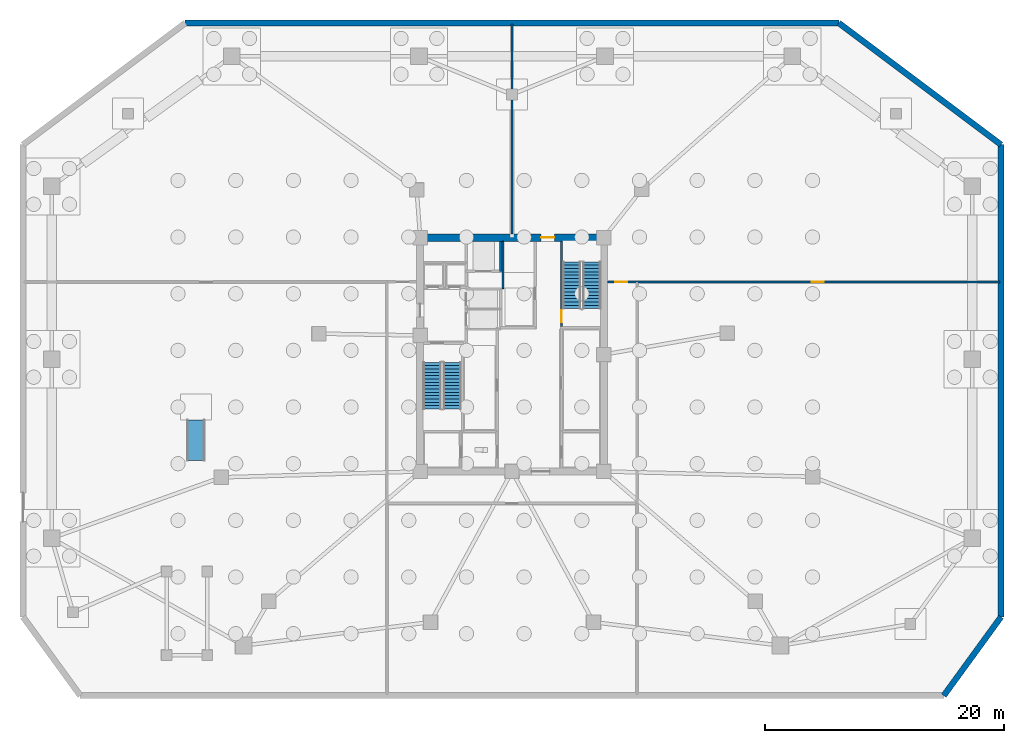
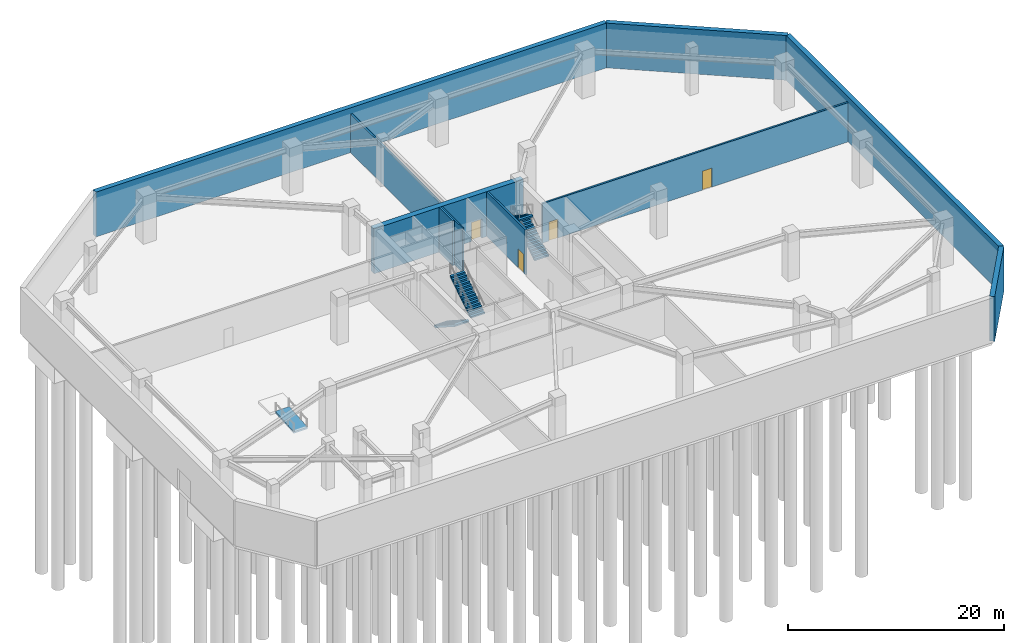
# One storey, part 5 of 12: 10 walls, 4 doors, 4 stair flights, 1 ramp flight, 4 openings, 3 elements without a shape of their own.
"""IFC4 building model written with IfcOpenShell, lengths in metres."""

from ifc_helpers import new_model, si_unit, direction, frame, frame_2d, origin, place, context, subcontext, project, spatial, polyline, rectangle, outline, extrude, material, layer, layer_set, type_object, element, fill, aggregate, save


model = new_model("IFC4")

# Units and contexts
model_context = context("Model", 3, precision=1e-05, world=origin(), true_north=direction((0.0, 1.0)))
body_context = subcontext(model_context, "Body", "Model", "MODEL_VIEW")
ifc_project = project(units=[si_unit("LENGTHUNIT", "METRE"), si_unit("AREAUNIT", "SQUARE_METRE"), si_unit("VOLUMEUNIT", "CUBIC_METRE"), si_unit("PLANEANGLEUNIT", "RADIAN"), si_unit("MASSUNIT", "GRAM", prefix="KILO")], contexts=[model_context])

# Site, building, storey
site_placement = place(None, origin())
site = spatial("IfcSite", under=ifc_project, at=site_placement, CompositionType="ELEMENT")
building_placement = place(site_placement, origin())
building = spatial("IfcBuilding", under=site, at=building_placement, Name="Savorim Split Tower", CompositionType="ELEMENT")
storey_placement = place(building_placement, frame((0.0, 0.0, -5.39990234375)))
storey = spatial("IfcBuildingStorey", under=building, at=storey_placement, Name="B01", CompositionType="ELEMENT", Elevation=-5.39990234375)

# Wall, opening, door
ifc_material_1 = material(Name="Concrete C60/75", Category="concrete")
ifc_layer_1 = layer(ifc_material_1, 0.60009765625)
ifc_layer_set_1 = layer_set([ifc_layer_1], Name="WAL-COR-SH600")
wall_type_1 = type_object("IfcWallType", Name="WAL-COR-SH600", PredefinedType="SHEAR", material=ifc_layer_set_1)
wall_1_placement = place(storey_placement, frame((8.0, 10.199951171875, 0.0), z_axis=(0.0, 0.0, 1.0), x_axis=(-1.0, 0.0, 0.0)))
wall_1 = element("IfcWall", 1, at=wall_1_placement, inside=storey, type_object=wall_type_1, Name="B01 Offset Core North Shear Wall", PredefinedType="SHEAR", context=body_context, shape_type="SweptSolid", body=[
    extrude(rectangle(XDim=16.0, YDim=0.60009765625, at=frame_2d((8.0, 0.0))), origin(), (0.0, 0.0, 1.0), 5.079833984375),
])
opening_1_placement = place(wall_1_placement, frame((4.449951171875, 0.0, 0.0)))
opening_1 = element("IfcOpeningElement", 2, at=opening_1_placement, cuts=wall_1, Name="Opening DI-03", PredefinedType="OPENING", context=body_context, shape_type="SweptSolid", body=[
    extrude(rectangle(XDim=1.10009765625, YDim=2.14990234375, at=frame_2d((0.550048828125, 1.074951171875))), frame((0.0, 0.31005859375, 0.0), z_axis=(0.0, -1.0, 0.0), x_axis=(1.0, 0.0, 0.0)), (0.0, 0.0, 1.0), 0.6201171875),
])
ifc_material_2 = material(Name="Timber Fire Door Leaf", Category="wood")
door_type_1 = type_object("IfcDoorType", Name="DOR-FIR-1100", OperationType="NOTDEFINED", PredefinedType="DOOR", material=ifc_material_2)
door_1_placement = place(opening_1_placement, origin())
door_1 = element("IfcDoor", 3, at=door_1_placement, inside=storey, type_object=door_type_1, Name="DOR-B01-COR-NLOB - B01 North Corridor Lobby Fire Door", OperationType="SINGLE_SWING_RIGHT", OverallHeight=2.14990234375, OverallWidth=1.10009765625, PredefinedType="DOOR", context=body_context, shape_type="SweptSolid", body=[
    extrude(rectangle(XDim=1.10009765625, YDim=2.14990234375, at=frame_2d((0.550048828125, 1.074951171875))), frame((0.0, 0.02490234375, 0.0), z_axis=(0.0, -1.0, 0.0), x_axis=(1.0, 0.0, 0.0)), (0.0, 0.0, 1.0), 0.050048828125),
])
fill(opening_1, door_1)

# Walls
ifc_material_3 = material(Name="Concrete C50/60", Category="concrete")
ifc_layer_2 = layer(ifc_material_3, 0.5)
ifc_layer_set_2 = layer_set([ifc_layer_2], Name="WAL-EXT-RET500")
wall_type_2 = type_object("IfcWallType", Name="WAL-EXT-RET500", PredefinedType="USERDEFINED", material=ifc_layer_set_2)
wall_2_placement = place(storey_placement, frame((41.0, -21.60009765625, 0.0), z_axis=(0.0, 0.0, 1.0), x_axis=(-0.58818414925, -0.808727028466, 0.0)))
element("IfcWall", 4, at=wall_2_placement, inside=storey, type_object=wall_type_2, Name="B01 Perimeter Basement Retaining Wall 2", ObjectType="RETAININGWALL", PredefinedType="USERDEFINED", context=body_context, shape_type="SweptSolid", body=[
    extrude(rectangle(XDim=8.160888671875, YDim=0.5, at=frame_2d((4.08056640625, 0.0))), origin(), (0.0, 0.0, 1.0), 5.079833984375),
])
wall_3_placement = place(storey_placement, frame((41.0, 18.0, 0.0), z_axis=(0.0, 0.0, 1.0), x_axis=(0.0, -1.0, 0.0)))
element("IfcWall", 5, at=wall_3_placement, inside=storey, type_object=wall_type_2, Name="B01 Perimeter Basement Retaining Wall 3", ObjectType="RETAININGWALL", PredefinedType="USERDEFINED", context=body_context, shape_type="SweptSolid", body=[
    extrude(rectangle(XDim=39.60009765625, YDim=0.5, at=frame_2d((19.800048828125, 0.0))), origin(), (0.0, 0.0, 1.0), 5.079833984375),
])
wall_4_placement = place(storey_placement, frame((27.39990234375, 28.199951171875, 0.0), z_axis=(0.0, 0.0, 1.0), x_axis=(0.800003446668, -0.599995404415, 0.0)))
element("IfcWall", 6, at=wall_4_placement, inside=storey, type_object=wall_type_2, Name="B01 Perimeter Basement Retaining Wall 4", ObjectType="RETAININGWALL", PredefinedType="USERDEFINED", context=body_context, shape_type="SweptSolid", body=[
    extrude(rectangle(XDim=17.0, YDim=0.5, at=frame_2d((8.5, 0.0))), origin(), (0.0, 0.0, 1.0), 5.079833984375),
])
wall_5_placement = place(storey_placement, frame((-27.39990234375, 28.199951171875, 0.0), z_axis=(0.0, 0.0, 1.0), x_axis=(1.0, 0.0, 0.0)))
element("IfcWall", 7, at=wall_5_placement, inside=storey, type_object=wall_type_2, Name="B01 Perimeter Basement Retaining Wall 5", ObjectType="RETAININGWALL", PredefinedType="USERDEFINED", context=body_context, shape_type="SweptSolid", body=[
    extrude(rectangle(XDim=54.7998046875, YDim=0.5, at=frame_2d((27.39990234375, 0.0))), origin(), (0.0, 0.0, 1.0), 5.079833984375),
])

# Wall, opening, door
ifc_layer_3 = layer(ifc_material_3, 0.199951171875)
ifc_layer_set_3 = layer_set([ifc_layer_3], Name="WAL-INT-RC200")
wall_type_3 = type_object("IfcWallType", Name="WAL-INT-RC200", PredefinedType="SOLIDWALL", material=ifc_layer_set_3)
wall_6_placement = place(storey_placement, frame((4.14990234375, 2.75, 0.0), z_axis=(0.0, 0.0, 1.0), x_axis=(0.0, 1.0, 0.0)))
wall_6 = element("IfcWall", 8, at=wall_6_placement, inside=storey, type_object=wall_type_3, Name="B01 Structural Shaft Wall W-B01-CR07", PredefinedType="SOLIDWALL", context=body_context, shape_type="SweptSolid", body=[
    extrude(rectangle(XDim=7.14990234375, YDim=0.199951171875, at=frame_2d((3.574951171875, 0.0))), origin(), (0.0, 0.0, 1.0), 5.079833984375),
])
opening_2_placement = place(wall_6_placement, frame((0.35009765625, 0.0, 0.0)))
opening_2 = element("IfcOpeningElement", 9, at=opening_2_placement, cuts=wall_6, Name="Opening DI-04", PredefinedType="OPENING", context=body_context, shape_type="SweptSolid", body=[
    extrude(rectangle(XDim=1.0, YDim=2.14990234375, at=frame_2d((0.5, 1.074951171875))), frame((0.0, 0.10986328125, 0.0), z_axis=(0.0, -1.0, 0.0), x_axis=(1.0, 0.0, 0.0)), (0.0, 0.0, 1.0), 0.219970703125),
])
door_type_2 = type_object("IfcDoorType", Name="DOR-FIR-1000", OperationType="NOTDEFINED", PredefinedType="DOOR", material=ifc_material_2)
door_2_placement = place(opening_2_placement, origin())
door_2 = element("IfcDoor", 10, at=door_2_placement, inside=storey, type_object=door_type_2, Name="DR-B01-ST2 - B01 Stair ST-2 Enclosure Door", OperationType="SINGLE_SWING_RIGHT", OverallHeight=2.14990234375, OverallWidth=1.0, PredefinedType="DOOR", context=body_context, shape_type="SweptSolid", body=[
    extrude(rectangle(XDim=1.0, YDim=2.14990234375, at=frame_2d((0.5, 1.074951171875))), frame((0.0, 0.02490234375, 0.0), z_axis=(0.0, -1.0, 0.0), x_axis=(1.0, 0.0, 0.0)), (0.0, 0.0, 1.0), 0.050048828125),
])
fill(opening_2, door_2)

# Wall
wall_7_placement = place(storey_placement, frame((-0.949951171875, 7.3798828125, 0.0), z_axis=(0.0, 0.0, 1.0), x_axis=(0.0, 1.0, 0.0)))
element("IfcWall", 11, at=wall_7_placement, inside=storey, type_object=wall_type_3, Name="B01 Partition W-B01-SVLE", PredefinedType="SOLIDWALL", context=body_context, shape_type="SweptSolid", body=[
    extrude(rectangle(XDim=2.51513671875, YDim=0.199951171875, at=frame_2d((1.257568359375, 0.0))), origin(), (0.0, 0.0, 1.0), 5.079833984375),
])

# Wall, openings, doors
wall_8_placement = place(storey_placement, frame((8.0, 6.47998046875, 0.0), z_axis=(0.0, 0.0, 1.0), x_axis=(1.0, 0.0, 0.0)))
wall_8 = element("IfcWall", 12, at=wall_8_placement, inside=storey, type_object=wall_type_3, Name="B01 Partition W-B01-CNE", PredefinedType="SOLIDWALL", context=body_context, shape_type="SweptSolid", body=[
    extrude(rectangle(XDim=32.919921875, YDim=0.199951171875, at=frame_2d((16.4599609375, 0.0))), origin(), (0.0, 0.0, 1.0), 4.46484375),
])
opening_3_placement = place(wall_8_placement, frame((17.1337890625, 0.0, 0.0)))
opening_3 = element("IfcOpeningElement", 13, at=opening_3_placement, cuts=wall_8, Name="Opening DI-04", PredefinedType="OPENING", context=body_context, shape_type="SweptSolid", body=[
    extrude(rectangle(XDim=1.0, YDim=2.14990234375, at=frame_2d((0.5, 1.074951171875))), frame((0.0, 0.10986328125, 0.0), z_axis=(0.0, -1.0, 0.0), x_axis=(1.0, 0.0, 0.0)), (0.0, 0.0, 1.0), 0.219970703125),
])
opening_4_placement = place(wall_8_placement, frame((0.675048828125, 0.0, 0.0)))
opening_4 = element("IfcOpeningElement", 14, at=opening_4_placement, cuts=wall_8, Name="Opening DI-04", PredefinedType="OPENING", context=body_context, shape_type="SweptSolid", body=[
    extrude(rectangle(XDim=1.0, YDim=2.14990234375, at=frame_2d((0.5, 1.074951171875))), frame((0.0, 0.10986328125, 0.0), z_axis=(0.0, -1.0, 0.0), x_axis=(1.0, 0.0, 0.0)), (0.0, 0.0, 1.0), 0.219970703125),
])
door_3_placement = place(opening_3_placement, origin())
door_3 = element("IfcDoor", 15, at=door_3_placement, inside=storey, type_object=door_type_2, Name="DR-B01-RM03 - B01 Chiller Plant Room Entry Door", OperationType="SINGLE_SWING_RIGHT", OverallHeight=2.14990234375, OverallWidth=1.0, PredefinedType="DOOR", context=body_context, shape_type="SweptSolid", body=[
    extrude(rectangle(XDim=1.0, YDim=2.14990234375, at=frame_2d((0.5, 1.074951171875))), frame((0.0, 0.02490234375, 0.0), z_axis=(0.0, -1.0, 0.0), x_axis=(1.0, 0.0, 0.0)), (0.0, 0.0, 1.0), 0.050048828125),
])
fill(opening_3, door_3)
door_4_placement = place(opening_4_placement, origin())
door_4 = element("IfcDoor", 16, at=door_4_placement, inside=storey, type_object=door_type_2, Name="DR-B01-RM05 - B01 HV Switchgear Plant Room Entry Door", OperationType="SINGLE_SWING_RIGHT", OverallHeight=2.14990234375, OverallWidth=1.0, PredefinedType="DOOR", context=body_context, shape_type="SweptSolid", body=[
    extrude(rectangle(XDim=1.0, YDim=2.14990234375, at=frame_2d((0.5, 1.074951171875))), frame((0.0, 0.02490234375, 0.0), z_axis=(0.0, -1.0, 0.0), x_axis=(1.0, 0.0, 0.0)), (0.0, 0.0, 1.0), 0.050048828125),
])
fill(opening_4, door_4)

# Walls
wall_9_placement = place(storey_placement, frame((0.0, 10.5, 0.0), z_axis=(0.0, 0.0, 1.0), x_axis=(0.0, 1.0, 0.0)))
element("IfcWall", 17, at=wall_9_placement, inside=storey, type_object=wall_type_3, Name="B01 Partition W-B01-PN", PredefinedType="SOLIDWALL", context=body_context, shape_type="SweptSolid", body=[
    extrude(rectangle(XDim=17.6201171875, YDim=0.199951171875, at=frame_2d((8.81005859375, 0.0))), origin(), (0.0, 0.0, 1.0), 4.35498046875),
])
ifc_material_4 = material(Name="Acoustic Gypsum Partition Board")
ifc_layer_4 = layer(ifc_material_4, 0.14990234375)
ifc_layer_set_4 = layer_set([ifc_layer_4], Name="WAL-PAR-150")
wall_type_4 = type_object("IfcWallType", Name="WAL-PAR-150", PredefinedType="PARTITIONING", material=ifc_layer_set_4)
wall_10_placement = place(storey_placement, frame((-0.75, 5.919921875, 0.0), z_axis=(0.0, 0.0, 1.0), x_axis=(0.0, 1.0, 0.0)))
element("IfcWall", 18, at=wall_10_placement, inside=storey, type_object=wall_type_4, Name="B01 Partition W-B01-B3WEST", PredefinedType="PARTITIONING", context=body_context, shape_type="SweptSolid", body=[
    extrude(rectangle(XDim=3.97509765625, YDim=0.14990234375, at=frame_2d((1.987548828125, 0.0))), origin(), (0.0, 0.0, 1.0), 5.079833984375),
])

# Stair, stair flights
stair_type = type_object("IfcStairType", Name="STR-DOG-5400", PredefinedType="HALF_TURN_STAIR", material=ifc_material_3)
stair_1_placement = place(storey_placement, origin())
stair_1 = element("IfcStair", 19, at=stair_1_placement, inside=storey, type_object=stair_type, Name="B01 Core Protected Exit Stair ST-1", PredefinedType="HALF_TURN_STAIR")
stair_flight_type = type_object("IfcStairFlightType", Name="SFL-DOG-5400", PredefinedType="STRAIGHT", material=ifc_material_3)
stair_flight_1_placement = place(storey_placement, frame((-6.699951171875, -0.25, 0.0), z_axis=(0.0, 0.0, 1.0), x_axis=(0.0, -1.0, 0.0)))
stair_flight_1 = element("IfcStairFlight", 20, at=stair_flight_1_placement, type_object=stair_flight_type, Name="ST-1 flight 1", NumberOfRisers=15, NumberOfTreads=14, PredefinedType="STRAIGHT", RiserHeight=0.18, TreadLength=0.28, context=body_context, shape_type="SweptSolid", body=[
    extrude(outline(polyline([(0.0, 0.0), (0.0, 0.179931640625), (0.280029296875, 0.179931640625), (0.280029296875, 0.360107421875), (0.56005859375, 0.360107421875), (0.56005859375, 0.5400390625), (0.840087890625, 0.5400390625), (0.840087890625, 0.719970703125), (1.1201171875, 0.719970703125), (1.1201171875, 0.89990234375), (1.39990234375, 0.89990234375), (1.39990234375, 1.080078125), (1.679931640625, 1.080078125), (1.679931640625, 1.260009765625), (1.9599609375, 1.260009765625), (1.9599609375, 1.43994140625), (2.239990234375, 1.43994140625), (2.239990234375, 1.6201171875), (2.52001953125, 1.6201171875), (2.52001953125, 1.800048828125), (2.800048828125, 1.800048828125), (2.800048828125, 1.97998046875), (3.080078125, 1.97998046875), (3.080078125, 2.159912109375), (3.360107421875, 2.159912109375), (3.360107421875, 2.340087890625), (3.639892578125, 2.340087890625), (3.639892578125, 2.52001953125), (3.919921875, 2.52001953125), (3.919921875, 2.699951171875), (3.919921875, 2.341796875), (0.277099609375, 0.0), (0.0, 0.0)])), frame((0.0, 0.75, 0.0), z_axis=(0.0, -1.0, 0.0), x_axis=(1.0, 0.0, 0.0)), (0.0, 0.0, 1.0), 1.5),
])
stair_flight_2_placement = place(storey_placement, frame((-5.0, -4.169921875, 2.699951171875), z_axis=(0.0, 0.0, 1.0), x_axis=(0.0, 1.0, 0.0)))
stair_flight_2 = element("IfcStairFlight", 21, at=stair_flight_2_placement, type_object=stair_flight_type, Name="ST-1 flight 2", NumberOfRisers=15, NumberOfTreads=14, PredefinedType="STRAIGHT", RiserHeight=0.18, TreadLength=0.28, context=body_context, shape_type="SweptSolid", body=[
    extrude(outline(polyline([(0.0, 0.0), (0.0, 0.179931640625), (0.280029296875, 0.179931640625), (0.280029296875, 0.360107421875), (0.56005859375, 0.360107421875), (0.56005859375, 0.5400390625), (0.840087890625, 0.5400390625), (0.840087890625, 0.719970703125), (1.1201171875, 0.719970703125), (1.1201171875, 0.89990234375), (1.39990234375, 0.89990234375), (1.39990234375, 1.080078125), (1.679931640625, 1.080078125), (1.679931640625, 1.260009765625), (1.9599609375, 1.260009765625), (1.9599609375, 1.43994140625), (2.239990234375, 1.43994140625), (2.239990234375, 1.6201171875), (2.52001953125, 1.6201171875), (2.52001953125, 1.800048828125), (2.800048828125, 1.800048828125), (2.800048828125, 1.97998046875), (3.080078125, 1.97998046875), (3.080078125, 2.159912109375), (3.360107421875, 2.159912109375), (3.360107421875, 2.340087890625), (3.639892578125, 2.340087890625), (3.639892578125, 2.52001953125), (3.919921875, 2.52001953125), (3.919921875, 2.699951171875), (3.919921875, 2.341796875), (0.277099609375, 0.0), (0.0, 0.0)])), frame((0.0, 0.75, 0.0), z_axis=(0.0, -1.0, 0.0), x_axis=(1.0, 0.0, 0.0)), (0.0, 0.0, 1.0), 1.5),
])
aggregate(stair_1, [stair_flight_1, stair_flight_2])

stair_2_placement = place(storey_placement, origin())
stair_2 = element("IfcStair", 22, at=stair_2_placement, inside=storey, type_object=stair_type, Name="B01 Core Protected Exit Stair ST-2", PredefinedType="HALF_TURN_STAIR")
stair_flight_3_placement = place(storey_placement, frame((6.699951171875, 4.25, 0.0), z_axis=(0.0, 0.0, 1.0), x_axis=(0.0, 1.0, 0.0)))
stair_flight_3 = element("IfcStairFlight", 23, at=stair_flight_3_placement, type_object=stair_flight_type, Name="ST-2 flight 1", NumberOfRisers=15, NumberOfTreads=14, PredefinedType="STRAIGHT", RiserHeight=0.18, TreadLength=0.28, context=body_context, shape_type="SweptSolid", body=[
    extrude(outline(polyline([(0.0, 0.0), (0.0, 0.179931640625), (0.280029296875, 0.179931640625), (0.280029296875, 0.360107421875), (0.56005859375, 0.360107421875), (0.56005859375, 0.5400390625), (0.840087890625, 0.5400390625), (0.840087890625, 0.719970703125), (1.1201171875, 0.719970703125), (1.1201171875, 0.89990234375), (1.39990234375, 0.89990234375), (1.39990234375, 1.080078125), (1.679931640625, 1.080078125), (1.679931640625, 1.260009765625), (1.9599609375, 1.260009765625), (1.9599609375, 1.43994140625), (2.239990234375, 1.43994140625), (2.239990234375, 1.6201171875), (2.52001953125, 1.6201171875), (2.52001953125, 1.800048828125), (2.800048828125, 1.800048828125), (2.800048828125, 1.97998046875), (3.080078125, 1.97998046875), (3.080078125, 2.159912109375), (3.360107421875, 2.159912109375), (3.360107421875, 2.340087890625), (3.639892578125, 2.340087890625), (3.639892578125, 2.52001953125), (3.919921875, 2.52001953125), (3.919921875, 2.699951171875), (3.919921875, 2.341796875), (0.277099609375, 0.0), (0.0, 0.0)])), frame((0.0, 0.75, 0.0), z_axis=(0.0, -1.0, 0.0), x_axis=(1.0, 0.0, 0.0)), (0.0, 0.0, 1.0), 1.5),
])
stair_flight_4_placement = place(storey_placement, frame((5.0, 8.169921875, 2.699951171875), z_axis=(0.0, 0.0, 1.0), x_axis=(0.0, -1.0, 0.0)))
stair_flight_4 = element("IfcStairFlight", 24, at=stair_flight_4_placement, type_object=stair_flight_type, Name="ST-2 flight 2", NumberOfRisers=15, NumberOfTreads=14, PredefinedType="STRAIGHT", RiserHeight=0.18, TreadLength=0.28, context=body_context, shape_type="SweptSolid", body=[
    extrude(outline(polyline([(0.0, 0.0), (0.0, 0.179931640625), (0.280029296875, 0.179931640625), (0.280029296875, 0.360107421875), (0.56005859375, 0.360107421875), (0.56005859375, 0.5400390625), (0.840087890625, 0.5400390625), (0.840087890625, 0.719970703125), (1.1201171875, 0.719970703125), (1.1201171875, 0.89990234375), (1.39990234375, 0.89990234375), (1.39990234375, 1.080078125), (1.679931640625, 1.080078125), (1.679931640625, 1.260009765625), (1.9599609375, 1.260009765625), (1.9599609375, 1.43994140625), (2.239990234375, 1.43994140625), (2.239990234375, 1.6201171875), (2.52001953125, 1.6201171875), (2.52001953125, 1.800048828125), (2.800048828125, 1.800048828125), (2.800048828125, 1.97998046875), (3.080078125, 1.97998046875), (3.080078125, 2.159912109375), (3.360107421875, 2.159912109375), (3.360107421875, 2.340087890625), (3.639892578125, 2.340087890625), (3.639892578125, 2.52001953125), (3.919921875, 2.52001953125), (3.919921875, 2.699951171875), (3.919921875, 2.341796875), (0.277099609375, 0.0), (0.0, 0.0)])), frame((0.0, 0.75, 0.0), z_axis=(0.0, -1.0, 0.0), x_axis=(1.0, 0.0, 0.0)), (0.0, 0.0, 1.0), 1.5),
])
aggregate(stair_2, [stair_flight_3, stair_flight_4])

# Ramp, ramp flight
ramp_type = type_object("IfcRampType", Name="RMP-ACC-1500", PredefinedType="STRAIGHT_RUN_RAMP", material=ifc_material_3)
ramp_placement = place(storey_placement, origin())
ramp = element("IfcRamp", 25, at=ramp_placement, inside=storey, type_object=ramp_type, Name="B01 Bicycle Hub Threshold Ramp", PredefinedType="STRAIGHT_RUN_RAMP")
ifc_layer_5 = layer(ifc_material_3, 0.199951171875)
ifc_layer_set_5 = layer_set([ifc_layer_5], Name="RMF-ACC-200")
ramp_flight_type = type_object("IfcRampFlightType", Name="RMF-ACC-200", PredefinedType="STRAIGHT", material=ifc_layer_set_5)
ramp_flight_placement = place(storey_placement, frame((-25.75, -8.5, 0.0), z_axis=(0.0, -0.082014881958, 0.996631104841), x_axis=(0.0, 0.996631104841, 0.082014881958)))
ramp_flight = element("IfcRampFlight", 26, at=ramp_flight_placement, type_object=ramp_flight_type, Name="B01 Bicycle Hub Threshold Ramp Flight 1", PredefinedType="STRAIGHT", context=body_context, shape_type="SweptSolid", body=[
    extrude(outline(polyline([(0.0, 0.0), (3.4113949757679163, 0.0), (3.4113949757679163, 1.5), (0.0, 1.5), (0.0, 0.0)])), origin(), (0.0, 0.0, -1.0), 0.199951171875),
])
aggregate(ramp, [ramp_flight])

save(model, "model.ifc")
